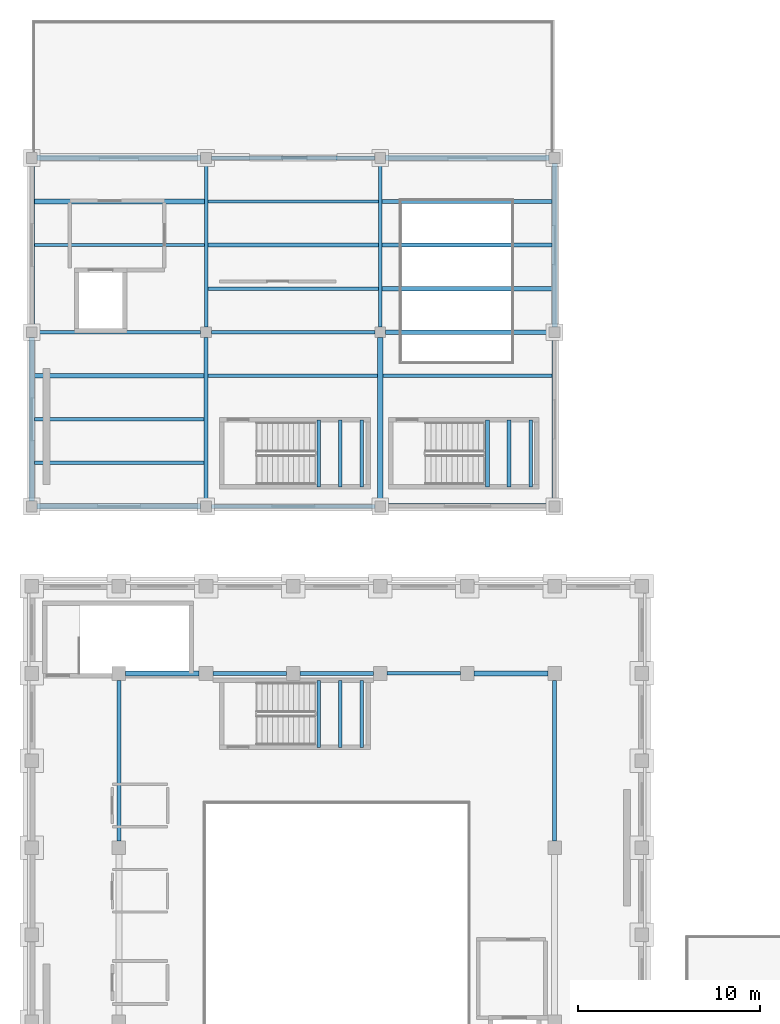
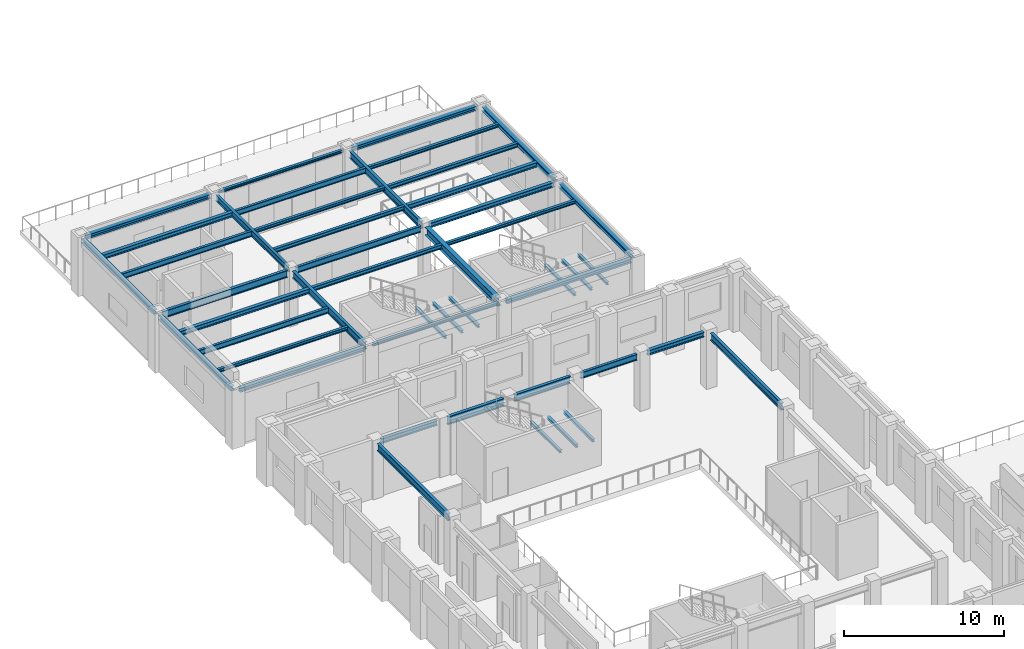
# One storey, part 4 of 46: 46 beams.
"""IFC4 building model written with IfcOpenShell, lengths in metres."""

from ifc_helpers import new_model, si_unit, direction, frame, origin, origin_2d, place, context, subcontext, project, spatial, i_section, extrude, material, material_profile, profile_set, type_object, element, save


model = new_model("IFC4")

# Units and contexts
model_context = context("Model", 3, precision=1e-05, world=origin(), true_north=direction((0.0, 1.0)))
body_context = subcontext(model_context, "Body", "Model", "MODEL_VIEW")
ifc_project = project(units=[si_unit("LENGTHUNIT", "METRE"), si_unit("AREAUNIT", "SQUARE_METRE"), si_unit("VOLUMEUNIT", "CUBIC_METRE"), si_unit("PLANEANGLEUNIT", "RADIAN"), si_unit("MASSUNIT", "GRAM", prefix="KILO")], contexts=[model_context])

# Site, building, storey
site_placement = place(None, origin())
site = spatial("IfcSite", under=ifc_project, at=site_placement, CompositionType="ELEMENT")
building_placement = place(site_placement, origin())
building = spatial("IfcBuilding", under=site, at=building_placement, Name="Mavantir Sound Aquarium", CompositionType="ELEMENT")
storey_placement = place(building_placement, frame((0.0, 0.0, 15.300048828125)))
storey = spatial("IfcBuildingStorey", under=building, at=storey_placement, Name="L03", CompositionType="ELEMENT", Elevation=15.300048828125)

# Beams
ifc_material = material(Name="Structural Steel ASTM A992 Gr50", Category="steel")
ifc_material_profile_1 = material_profile(ifc_material, i_section(OverallWidth=0.202880859375, OverallDepth=0.202880859375, WebThickness=0.007080078125, FlangeThickness=0.010986328125, FilletRadius=0.010009765625, at=origin_2d()), Name="W200X46")
ifc_profile_set_1 = profile_set([ifc_material_profile_1], Name="Structural Steel ASTM A992 Gr50")
beam_type_1 = type_object("IfcBeamType", Name="BM-W200X46-E", PredefinedType="LINTEL", material=ifc_profile_set_1)
for number, where, z_axis, x_axis, name in (
    (1, (9.89990234375, 83.60009765625, 4.114501953125), (1.0, 0.0, 0.0), (0.0, 1.0, 0.0), "L03 primary beam SL-20 1660"),
    (2, (9.89990234375, 102.800048828125, 4.114501953125), (1.0, 0.0, 0.0), (0.0, 1.0, 0.0), "L03 primary beam SL-20 1666"),
):
    element("IfcBeam", number, at=place(storey_placement, frame(where, z_axis=z_axis, x_axis=x_axis)), inside=storey, type_object=beam_type_1, Name=name, PredefinedType="LINTEL", context=body_context, shape_type="SweptSolid", body=[
        extrude(i_section(OverallWidth=0.202880859375, OverallDepth=0.202880859375, WebThickness=0.007080078125, FlangeThickness=0.010986328125, FilletRadius=0.010009765625, at=origin_2d()), origin(), (0.0, 0.0, 1.0), 9.0),
    ])
ifc_material_profile_2 = material_profile(ifc_material, i_section(OverallWidth=0.202880859375, OverallDepth=0.202880859375, WebThickness=0.007080078125, FlangeThickness=0.010986328125, FilletRadius=0.010009765625, at=origin_2d()), Name="W200X46")
ifc_profile_set_2 = profile_set([ifc_material_profile_2], Name="Structural Steel ASTM A992 Gr50")
beam_type_2 = type_object("IfcBeamType", Name="BM-W200X46-I", PredefinedType="LINTEL", material=ifc_profile_set_2)
for number, where, z_axis, x_axis, name in (
    (3, (15.81005859375, 70.324951171875, 1.945556640625), (0.0, 1.0, 0.0), (-1.0, 0.0, 0.0), "Stair ST10 landing support beam 34"),
    (4, (16.9951171875, 70.324951171875, 1.945556640625), (0.0, 1.0, 0.0), (-1.0, 0.0, 0.0), "Stair ST10 landing support beam 35"),
    (5, (18.179931640625, 70.324951171875, 1.945556640625), (0.0, 1.0, 0.0), (-1.0, 0.0, 0.0), "Stair ST10 landing support beam 36"),
    (6, (15.81005859375, 84.675048828125, 1.945556640625), (0.0, 1.0, 0.0), (-1.0, 0.0, 0.0), "Stair ST5 landing support beam 97"),
    (7, (16.9951171875, 84.675048828125, 1.945556640625), (0.0, 1.0, 0.0), (-1.0, 0.0, 0.0), "Stair ST5 landing support beam 98"),
    (8, (18.179931640625, 84.675048828125, 1.945556640625), (0.0, 1.0, 0.0), (-1.0, 0.0, 0.0), "Stair ST5 landing support beam 99"),
    (9, (25.110107421875, 84.675048828125, 1.945556640625), (0.0, 1.0, 0.0), (-1.0, 0.0, 0.0), "Stair ST7 landing support beam 118"),
    (10, (26.294921875, 84.675048828125, 1.945556640625), (0.0, 1.0, 0.0), (-1.0, 0.0, 0.0), "Stair ST7 landing support beam 119"),
    (11, (27.47998046875, 84.675048828125, 1.945556640625), (0.0, 1.0, 0.0), (-1.0, 0.0, 0.0), "Stair ST7 landing support beam 120"),
):
    element("IfcBeam", number, at=place(storey_placement, frame(where, z_axis=z_axis, x_axis=x_axis)), inside=storey, type_object=beam_type_2, Name=name, PredefinedType="LINTEL", context=body_context, shape_type="SweptSolid", body=[
        extrude(i_section(OverallWidth=0.202880859375, OverallDepth=0.202880859375, WebThickness=0.007080078125, FlangeThickness=0.010986328125, FilletRadius=0.010009765625, at=origin_2d()), origin(), (0.0, 0.0, 1.0), 3.699951171875),
    ])
ifc_material_profile_3 = material_profile(ifc_material, i_section(OverallWidth=0.202880859375, OverallDepth=0.251953125, WebThickness=0.008056640625, FlangeThickness=0.013427734375, FilletRadius=0.011962890625, at=origin_2d()), Name="W250X58")
ifc_profile_set_3 = profile_set([ifc_material_profile_3], Name="Structural Steel ASTM A992 Gr50")
beam_type_3 = type_object("IfcBeamType", Name="BM-W250X58-I", PredefinedType="JOIST", material=ifc_profile_set_3)
beam_1_placement = place(storey_placement, frame((0.152587890625, 86.0, 4.08984375), z_axis=(1.0, 0.0, 0.0), x_axis=(0.0, 1.0, 0.0)))
element("IfcBeam", 12, at=beam_1_placement, inside=storey, type_object=beam_type_3, Name="L03 secondary floor joist SJ-25 984", PredefinedType="JOIST", context=body_context, shape_type="SweptSolid", body=[
    extrude(i_section(OverallWidth=0.202880859375, OverallDepth=0.251953125, WebThickness=0.008056640625, FlangeThickness=0.013427734375, FilletRadius=0.011962890625, at=origin_2d()), origin(), (0.0, 0.0, 1.0), 9.34130859375),
])
beam_2_placement = place(storey_placement, frame((19.362060546875, 90.800048828125, 4.08984375), z_axis=(1.0, 0.0, 0.0), x_axis=(0.0, 1.0, 0.0)))
element("IfcBeam", 13, at=beam_2_placement, inside=storey, type_object=beam_type_3, Name="L03 secondary floor joist SJ-25 988", PredefinedType="JOIST", context=body_context, shape_type="SweptSolid", body=[
    extrude(i_section(OverallWidth=0.202880859375, OverallDepth=0.251953125, WebThickness=0.008056640625, FlangeThickness=0.013427734375, FilletRadius=0.011962890625, at=origin_2d()), origin(), (0.0, 0.0, 1.0), 9.285400390625),
])
beam_3_placement = place(storey_placement, frame((9.697021484375, 98.0, 4.08984375), z_axis=(1.0, 0.0, 0.0), x_axis=(0.0, 1.0, 0.0)))
element("IfcBeam", 14, at=beam_3_placement, inside=storey, type_object=beam_type_3, Name="L03 secondary floor joist SJ-25 992", PredefinedType="JOIST", context=body_context, shape_type="SweptSolid", body=[
    extrude(i_section(OverallWidth=0.202880859375, OverallDepth=0.251953125, WebThickness=0.008056640625, FlangeThickness=0.013427734375, FilletRadius=0.011962890625, at=origin_2d()), origin(), (0.0, 0.0, 1.0), 9.39697265625),
])
beam_4_placement = place(storey_placement, frame((19.305908203125, 100.39990234375, 4.08984375), z_axis=(1.0, 0.0, 0.0), x_axis=(0.0, 1.0, 0.0)))
element("IfcBeam", 15, at=beam_4_placement, inside=storey, type_object=beam_type_3, Name="L03 secondary floor joist SJ-25 996", PredefinedType="JOIST", context=body_context, shape_type="SweptSolid", body=[
    extrude(i_section(OverallWidth=0.202880859375, OverallDepth=0.251953125, WebThickness=0.008056640625, FlangeThickness=0.013427734375, FilletRadius=0.011962890625, at=origin_2d()), origin(), (0.0, 0.0, 1.0), 9.341552734375),
])
ifc_material_profile_4 = material_profile(ifc_material, i_section(OverallWidth=0.205078125, OverallDepth=0.31005859375, WebThickness=0.009521484375, FlangeThickness=0.016357421875, FilletRadius=0.012939453125, at=origin_2d()), Name="W310X74")
ifc_profile_set_4 = profile_set([ifc_material_profile_4], Name="Structural Steel ASTM A992 Gr50")
beam_type_4 = type_object("IfcBeamType", Name="BM-W310X74-I", PredefinedType="JOIST", material=ifc_profile_set_4)
beam_5_placement = place(storey_placement, frame((9.7060546875, 90.800048828125, 4.06103515625), z_axis=(1.0, 0.0, 0.0), x_axis=(0.0, 1.0, 0.0)))
element("IfcBeam", 16, at=beam_5_placement, inside=storey, type_object=beam_type_4, Name="L03 secondary floor joist SJ-31 987", PredefinedType="JOIST", context=body_context, shape_type="SweptSolid", body=[
    extrude(i_section(OverallWidth=0.205078125, OverallDepth=0.31005859375, WebThickness=0.009521484375, FlangeThickness=0.016357421875, FilletRadius=0.012939453125, at=origin_2d()), origin(), (0.0, 0.0, 1.0), 9.33203125),
])
beam_6_placement = place(storey_placement, frame((9.697021484375, 95.60009765625, 4.06103515625), z_axis=(1.0, 0.0, 0.0), x_axis=(0.0, 1.0, 0.0)))
element("IfcBeam", 17, at=beam_6_placement, inside=storey, type_object=beam_type_4, Name="L03 secondary floor joist SJ-31 991", PredefinedType="JOIST", context=body_context, shape_type="SweptSolid", body=[
    extrude(i_section(OverallWidth=0.205078125, OverallDepth=0.31005859375, WebThickness=0.009521484375, FlangeThickness=0.016357421875, FilletRadius=0.012939453125, at=origin_2d()), origin(), (0.0, 0.0, 1.0), 9.39697265625),
])
beam_7_placement = place(storey_placement, frame((19.305908203125, 98.0, 4.06103515625), z_axis=(1.0, 0.0, 0.0), x_axis=(0.0, 1.0, 0.0)))
element("IfcBeam", 18, at=beam_7_placement, inside=storey, type_object=beam_type_4, Name="L03 secondary floor joist SJ-31 995", PredefinedType="JOIST", context=body_context, shape_type="SweptSolid", body=[
    extrude(i_section(OverallWidth=0.205078125, OverallDepth=0.31005859375, WebThickness=0.009521484375, FlangeThickness=0.016357421875, FilletRadius=0.012939453125, at=origin_2d()), origin(), (0.0, 0.0, 1.0), 9.341552734375),
])
ifc_material_profile_5 = material_profile(ifc_material, i_section(OverallWidth=0.304931640625, OverallDepth=0.30810546875, WebThickness=0.010009765625, FlangeThickness=0.015380859375, FilletRadius=0.014892578125, at=origin_2d()), Name="W310X97")
ifc_profile_set_5 = profile_set([ifc_material_profile_5], Name="Structural Steel ASTM A992 Gr50")
beam_type_5 = type_object("IfcBeamType", Name="BM-W310X97-E", PredefinedType="SPANDREL", material=ifc_profile_set_5)
for number, where, z_axis, x_axis, name in (
    (19, (0.300048828125, 83.60009765625, 4.06201171875), (1.0, 0.0, 0.0), (0.0, 1.0, 0.0), "L03 primary beam SS-31A 1659"),
    (20, (19.5, 83.60009765625, 4.06201171875), (1.0, 0.0, 0.0), (0.0, 1.0, 0.0), "L03 primary beam SS-31A 1661"),
    (21, (0.300048828125, 102.800048828125, 4.06201171875), (1.0, 0.0, 0.0), (0.0, 1.0, 0.0), "L03 primary beam SS-31A 1665"),
    (22, (19.5, 102.800048828125, 4.06201171875), (1.0, 0.0, 0.0), (0.0, 1.0, 0.0), "L03 primary beam SS-31A 1667"),
    (23, (0.0, 83.89990234375, 4.06201171875), (0.0, 1.0, 0.0), (-1.0, 0.0, 0.0), "L03 primary girder SS-31A 1668"),
    (24, (0.0, 93.5, 4.06201171875), (0.0, 1.0, 0.0), (-1.0, 0.0, 0.0), "L03 primary girder SS-31A 1669"),
    (25, (28.800048828125, 83.89990234375, 4.06201171875), (0.0, 1.0, 0.0), (-1.0, 0.0, 0.0), "L03 primary girder SS-31A 1674"),
    (26, (28.800048828125, 93.5, 4.06201171875), (0.0, 1.0, 0.0), (-1.0, 0.0, 0.0), "L03 primary girder SS-31A 1675"),
):
    element("IfcBeam", number, at=place(storey_placement, frame(where, z_axis=z_axis, x_axis=x_axis)), inside=storey, type_object=beam_type_5, Name=name, PredefinedType="SPANDREL", context=body_context, shape_type="SweptSolid", body=[
        extrude(i_section(OverallWidth=0.304931640625, OverallDepth=0.30810546875, WebThickness=0.010009765625, FlangeThickness=0.015380859375, FilletRadius=0.014892578125, at=origin_2d()), origin(), (0.0, 0.0, 1.0), 9.0),
    ])
ifc_material_profile_6 = material_profile(ifc_material, i_section(OverallWidth=0.257080078125, OverallDepth=0.363037109375, WebThickness=0.012939453125, FlangeThickness=0.021728515625, FilletRadius=0.014892578125, at=origin_2d()), Name="W360X122")
ifc_profile_set_6 = profile_set([ifc_material_profile_6], Name="Structural Steel ASTM A992 Gr50")
beam_type_6 = type_object("IfcBeamType", Name="BM-W360X122-I", PredefinedType="BEAM", material=ifc_profile_set_6)
for number, where, z_axis, x_axis, name in (
    (27, (5.175048828125, 74.39990234375, 4.034423828125), (1.0, 0.0, 0.0), (0.0, 1.0, 0.0), "L03 primary beam SB-36A 1648"),
    (28, (24.375, 74.39990234375, 4.034423828125), (1.0, 0.0, 0.0), (0.0, 1.0, 0.0), "L03 primary beam SB-36A 1652"),
):
    element("IfcBeam", number, at=place(storey_placement, frame(where, z_axis=z_axis, x_axis=x_axis)), inside=storey, type_object=beam_type_6, Name=name, PredefinedType="BEAM", context=body_context, shape_type="SweptSolid", body=[
        extrude(i_section(OverallWidth=0.257080078125, OverallDepth=0.363037109375, WebThickness=0.012939453125, FlangeThickness=0.021728515625, FilletRadius=0.014892578125, at=origin_2d()), origin(), (0.0, 0.0, 1.0), 4.050048828125),
    ])
beam_8_placement = place(storey_placement, frame((19.5, 93.199951171875, 4.034423828125), z_axis=(1.0, 0.0, 0.0), x_axis=(0.0, 1.0, 0.0)))
element("IfcBeam", 29, at=beam_8_placement, inside=storey, type_object=beam_type_6, Name="L03 primary beam SB-36A 1664", PredefinedType="BEAM", context=body_context, shape_type="SweptSolid", body=[
    extrude(i_section(OverallWidth=0.257080078125, OverallDepth=0.363037109375, WebThickness=0.012939453125, FlangeThickness=0.021728515625, FilletRadius=0.014892578125, at=origin_2d()), origin(), (0.0, 0.0, 1.0), 9.0),
])
ifc_material_profile_7 = material_profile(ifc_material, i_section(OverallWidth=0.25390625, OverallDepth=0.35302734375, WebThickness=0.009521484375, FlangeThickness=0.016357421875, FilletRadius=0.014892578125, at=origin_2d()), Name="W360X91")
ifc_profile_set_7 = profile_set([ifc_material_profile_7], Name="Structural Steel ASTM A992 Gr50")
beam_type_7 = type_object("IfcBeamType", Name="BM-W360X91-I", PredefinedType="JOIST", material=ifc_profile_set_7)
beam_9_placement = place(storey_placement, frame((0.152587890625, 90.800048828125, 4.03955078125), z_axis=(1.0, 0.0, 0.0), x_axis=(0.0, 1.0, 0.0)))
element("IfcBeam", 30, at=beam_9_placement, inside=storey, type_object=beam_type_7, Name="L03 secondary floor joist SJ-36 986", PredefinedType="JOIST", context=body_context, shape_type="SweptSolid", body=[
    extrude(i_section(OverallWidth=0.25390625, OverallDepth=0.35302734375, WebThickness=0.009521484375, FlangeThickness=0.016357421875, FilletRadius=0.014892578125, at=origin_2d()), origin(), (0.0, 0.0, 1.0), 9.34130859375),
])
beam_10_placement = place(storey_placement, frame((0.152587890625, 100.39990234375, 4.03955078125), z_axis=(1.0, 0.0, 0.0), x_axis=(0.0, 1.0, 0.0)))
element("IfcBeam", 31, at=beam_10_placement, inside=storey, type_object=beam_type_7, Name="L03 secondary floor joist SJ-36 990", PredefinedType="JOIST", context=body_context, shape_type="SweptSolid", body=[
    extrude(i_section(OverallWidth=0.25390625, OverallDepth=0.35302734375, WebThickness=0.009521484375, FlangeThickness=0.016357421875, FilletRadius=0.014892578125, at=origin_2d()), origin(), (0.0, 0.0, 1.0), 9.350341796875),
])
beam_11_placement = place(storey_placement, frame((19.305908203125, 95.60009765625, 4.03955078125), z_axis=(1.0, 0.0, 0.0), x_axis=(0.0, 1.0, 0.0)))
element("IfcBeam", 32, at=beam_11_placement, inside=storey, type_object=beam_type_7, Name="L03 secondary floor joist SJ-36 994", PredefinedType="JOIST", context=body_context, shape_type="SweptSolid", body=[
    extrude(i_section(OverallWidth=0.25390625, OverallDepth=0.35302734375, WebThickness=0.009521484375, FlangeThickness=0.016357421875, FilletRadius=0.014892578125, at=origin_2d()), origin(), (0.0, 0.0, 1.0), 9.341552734375),
])
ifc_material_profile_8 = material_profile(ifc_material, i_section(OverallWidth=0.180908203125, OverallDepth=0.4169921875, WebThickness=0.010986328125, FlangeThickness=0.018310546875, FilletRadius=0.014892578125, at=origin_2d()), Name="W410X85")
ifc_profile_set_8 = profile_set([ifc_material_profile_8], Name="Structural Steel ASTM A992 Gr50")
beam_type_8 = type_object("IfcBeamType", Name="BM-W410X85-I", PredefinedType="JOIST", material=ifc_profile_set_8)
beam_12_placement = place(storey_placement, frame((0.152587890625, 88.39990234375, 4.007568359375), z_axis=(1.0, 0.0, 0.0), x_axis=(0.0, 1.0, 0.0)))
element("IfcBeam", 33, at=beam_12_placement, inside=storey, type_object=beam_type_8, Name="L03 secondary floor joist SJ-41 985", PredefinedType="JOIST", context=body_context, shape_type="SweptSolid", body=[
    extrude(i_section(OverallWidth=0.180908203125, OverallDepth=0.4169921875, WebThickness=0.010986328125, FlangeThickness=0.018310546875, FilletRadius=0.014892578125, at=origin_2d()), origin(), (0.0, 0.0, 1.0), 9.34130859375),
])
beam_13_placement = place(storey_placement, frame((0.152587890625, 98.0, 4.007568359375), z_axis=(1.0, 0.0, 0.0), x_axis=(0.0, 1.0, 0.0)))
element("IfcBeam", 34, at=beam_13_placement, inside=storey, type_object=beam_type_8, Name="L03 secondary floor joist SJ-41 989", PredefinedType="JOIST", context=body_context, shape_type="SweptSolid", body=[
    extrude(i_section(OverallWidth=0.180908203125, OverallDepth=0.4169921875, WebThickness=0.010986328125, FlangeThickness=0.018310546875, FilletRadius=0.014892578125, at=origin_2d()), origin(), (0.0, 0.0, 1.0), 9.350341796875),
])
beam_14_placement = place(storey_placement, frame((9.697021484375, 100.39990234375, 4.007568359375), z_axis=(1.0, 0.0, 0.0), x_axis=(0.0, 1.0, 0.0)))
element("IfcBeam", 35, at=beam_14_placement, inside=storey, type_object=beam_type_8, Name="L03 secondary floor joist SJ-41 993", PredefinedType="JOIST", context=body_context, shape_type="SweptSolid", body=[
    extrude(i_section(OverallWidth=0.180908203125, OverallDepth=0.4169921875, WebThickness=0.010986328125, FlangeThickness=0.018310546875, FilletRadius=0.014892578125, at=origin_2d()), origin(), (0.0, 0.0, 1.0), 9.39697265625),
])
ifc_material_profile_9 = material_profile(ifc_material, i_section(OverallWidth=0.194091796875, OverallDepth=0.468994140625, WebThickness=0.0126953125, FlangeThickness=0.0205078125, FilletRadius=0.01611328125, at=origin_2d()), Name="W460X106")
ifc_profile_set_9 = profile_set([ifc_material_profile_9], Name="Structural Steel ASTM A992 Gr50")
beam_type_9 = type_object("IfcBeamType", Name="BM-W460X106-I", PredefinedType="BEAM", material=ifc_profile_set_9)
beam_15_placement = place(storey_placement, frame((19.574951171875, 74.39990234375, 3.9814453125), z_axis=(1.0, 0.0, 0.0), x_axis=(0.0, 1.0, 0.0)))
element("IfcBeam", 36, at=beam_15_placement, inside=storey, type_object=beam_type_9, Name="L03 primary beam SB-46 1651", PredefinedType="BEAM", context=body_context, shape_type="SweptSolid", body=[
    extrude(i_section(OverallWidth=0.194091796875, OverallDepth=0.468994140625, WebThickness=0.0126953125, FlangeThickness=0.0205078125, FilletRadius=0.01611328125, at=origin_2d()), origin(), (0.0, 0.0, 1.0), 4.050048828125),
])
for number, where, z_axis, x_axis, name in (
    (37, (9.89990234375, 93.199951171875, 3.9814453125), (1.0, 0.0, 0.0), (0.0, 1.0, 0.0), "L03 primary beam SB-46 1663"),
    (38, (9.60009765625, 93.5, 3.9814453125), (0.0, 1.0, 0.0), (-1.0, 0.0, 0.0), "L03 primary girder SB-46 1671"),
):
    element("IfcBeam", number, at=place(storey_placement, frame(where, z_axis=z_axis, x_axis=x_axis)), inside=storey, type_object=beam_type_9, Name=name, PredefinedType="BEAM", context=body_context, shape_type="SweptSolid", body=[
        extrude(i_section(OverallWidth=0.194091796875, OverallDepth=0.468994140625, WebThickness=0.0126953125, FlangeThickness=0.0205078125, FilletRadius=0.01611328125, at=origin_2d()), origin(), (0.0, 0.0, 1.0), 9.0),
    ])
ifc_material_profile_10 = material_profile(ifc_material, i_section(OverallWidth=0.2119140625, OverallDepth=0.5439453125, WebThickness=0.01318359375, FlangeThickness=0.021240234375, FilletRadius=0.01806640625, at=origin_2d()), Name="W530X123")
ifc_profile_set_10 = profile_set([ifc_material_profile_10], Name="Structural Steel ASTM A992 Gr50")
beam_type_10 = type_object("IfcBeamType", Name="BM-W530X123-I", PredefinedType="BEAM", material=ifc_profile_set_10)
beam_16_placement = place(storey_placement, frame((14.77490234375, 74.39990234375, 3.94384765625), z_axis=(1.0, 0.0, 0.0), x_axis=(0.0, 1.0, 0.0)))
element("IfcBeam", 39, at=beam_16_placement, inside=storey, type_object=beam_type_10, Name="L03 primary beam SB-53 1650", PredefinedType="BEAM", context=body_context, shape_type="SweptSolid", body=[
    extrude(i_section(OverallWidth=0.2119140625, OverallDepth=0.5439453125, WebThickness=0.01318359375, FlangeThickness=0.021240234375, FilletRadius=0.01806640625, at=origin_2d()), origin(), (0.0, 0.0, 1.0), 4.050048828125),
])
for number, where, z_axis, x_axis, name in (
    (40, (4.800048828125, 65.175048828125, 3.94384765625), (0.0, 1.0, 0.0), (-1.0, 0.0, 0.0), "L03 primary girder SB-53 1655"),
    (41, (28.800048828125, 65.175048828125, 3.94384765625), (0.0, 1.0, 0.0), (-1.0, 0.0, 0.0), "L03 primary girder SB-53 1658"),
):
    element("IfcBeam", number, at=place(storey_placement, frame(where, z_axis=z_axis, x_axis=x_axis)), inside=storey, type_object=beam_type_10, Name=name, PredefinedType="BEAM", context=body_context, shape_type="SweptSolid", body=[
        extrude(i_section(OverallWidth=0.2119140625, OverallDepth=0.5439453125, WebThickness=0.01318359375, FlangeThickness=0.021240234375, FilletRadius=0.01806640625, at=origin_2d()), origin(), (0.0, 0.0, 1.0), 8.849853515625),
    ])
for number, where, z_axis, x_axis, name in (
    (42, (0.300048828125, 93.199951171875, 3.94384765625), (1.0, 0.0, 0.0), (0.0, 1.0, 0.0), "L03 primary beam SB-53 1662"),
    (43, (9.60009765625, 83.89990234375, 3.94384765625), (0.0, 1.0, 0.0), (-1.0, 0.0, 0.0), "L03 primary girder SB-53 1670"),
    (44, (19.199951171875, 93.5, 3.94384765625), (0.0, 1.0, 0.0), (-1.0, 0.0, 0.0), "L03 primary girder SB-53 1673"),
):
    element("IfcBeam", number, at=place(storey_placement, frame(where, z_axis=z_axis, x_axis=x_axis)), inside=storey, type_object=beam_type_10, Name=name, PredefinedType="BEAM", context=body_context, shape_type="SweptSolid", body=[
        extrude(i_section(OverallWidth=0.2119140625, OverallDepth=0.5439453125, WebThickness=0.01318359375, FlangeThickness=0.021240234375, FilletRadius=0.01806640625, at=origin_2d()), origin(), (0.0, 0.0, 1.0), 9.0),
    ])
ifc_material_profile_11 = material_profile(ifc_material, i_section(OverallWidth=0.22900390625, OverallDepth=0.612060546875, WebThickness=0.011962890625, FlangeThickness=0.01953125, FilletRadius=0.01904296875, at=origin_2d()), Name="W610X125")
ifc_profile_set_11 = profile_set([ifc_material_profile_11], Name="Structural Steel ASTM A992 Gr50")
beam_type_11 = type_object("IfcBeamType", Name="BM-W610X125-I", PredefinedType="BEAM", material=ifc_profile_set_11)
beam_17_placement = place(storey_placement, frame((9.97509765625, 74.39990234375, 3.909912109375), z_axis=(1.0, 0.0, 0.0), x_axis=(0.0, 1.0, 0.0)))
element("IfcBeam", 45, at=beam_17_placement, inside=storey, type_object=beam_type_11, Name="L03 primary beam SB-61B 1649", PredefinedType="BEAM", context=body_context, shape_type="SweptSolid", body=[
    extrude(i_section(OverallWidth=0.22900390625, OverallDepth=0.612060546875, WebThickness=0.011962890625, FlangeThickness=0.01953125, FilletRadius=0.01904296875, at=origin_2d()), origin(), (0.0, 0.0, 1.0), 4.0498046875),
])
ifc_material_profile_12 = material_profile(ifc_material, i_section(OverallWidth=0.323974609375, OverallDepth=0.611083984375, WebThickness=0.0126953125, FlangeThickness=0.01904296875, FilletRadius=0.01904296875, at=origin_2d()), Name="W610X155")
ifc_profile_set_12 = profile_set([ifc_material_profile_12], Name="Structural Steel ASTM A992 Gr50")
beam_type_12 = type_object("IfcBeamType", Name="BM-W610X155-I", PredefinedType="BEAM", material=ifc_profile_set_12)
beam_18_placement = place(storey_placement, frame((19.199951171875, 83.89990234375, 3.910400390625), z_axis=(0.0, 1.0, 0.0), x_axis=(-1.0, 0.0, 0.0)))
element("IfcBeam", 46, at=beam_18_placement, inside=storey, type_object=beam_type_12, Name="L03 primary girder SB-61A 1672", PredefinedType="BEAM", context=body_context, shape_type="SweptSolid", body=[
    extrude(i_section(OverallWidth=0.323974609375, OverallDepth=0.611083984375, WebThickness=0.0126953125, FlangeThickness=0.01904296875, FilletRadius=0.01904296875, at=origin_2d()), origin(), (0.0, 0.0, 1.0), 9.0),
])

save(model, "model.ifc")
